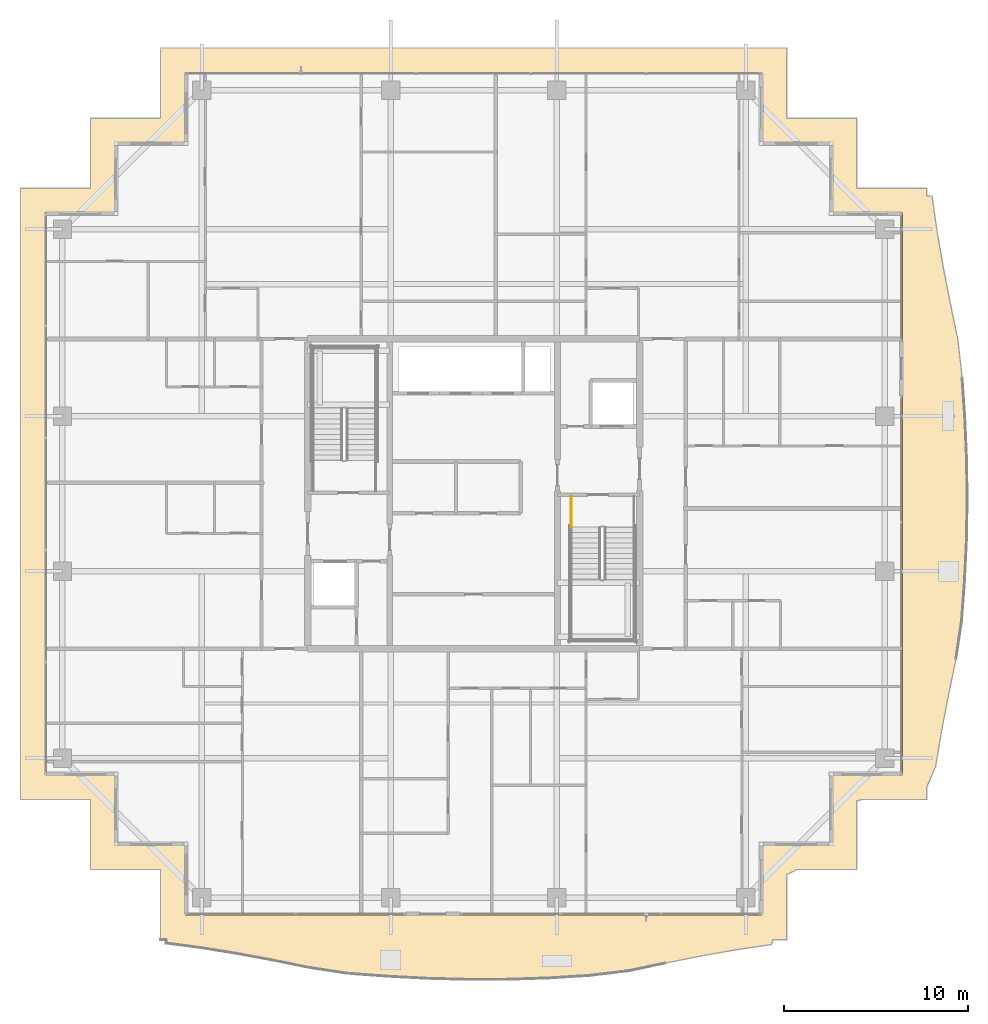
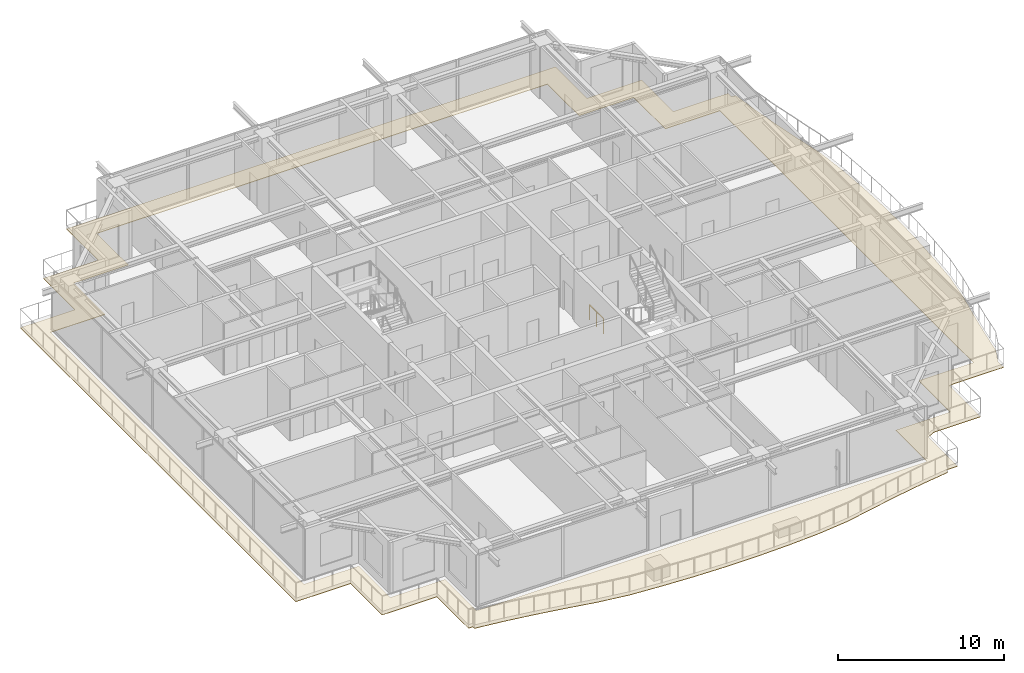
# One storey, part 40 of 42: 1 covering, 1 railing.
"""IFC4 building model written with IfcOpenShell, lengths in metres."""

from ifc_helpers import new_model, si_unit, direction, frame, origin, origin_2d, place, context, subcontext, project, spatial, polyline, circle, outline, extrude, material, layer, layer_set, type_object, element, save


model = new_model("IFC4")

# Units and contexts
model_context = context("Model", 3, precision=1e-05, world=origin(), true_north=direction((0.0, 1.0)))
body_context = subcontext(model_context, "Body", "Model", "MODEL_VIEW")
ifc_project = project(units=[si_unit("LENGTHUNIT", "METRE"), si_unit("AREAUNIT", "SQUARE_METRE"), si_unit("VOLUMEUNIT", "CUBIC_METRE"), si_unit("PLANEANGLEUNIT", "RADIAN"), si_unit("MASSUNIT", "GRAM", prefix="KILO")], contexts=[model_context])

# Site, building, storey
site_placement = place(None, origin())
site = spatial("IfcSite", under=ifc_project, at=site_placement, CompositionType="ELEMENT")
building_placement = place(site_placement, origin())
building = spatial("IfcBuilding", under=site, at=building_placement, Name="Serunith Strait Residences", CompositionType="ELEMENT")
storey_placement = place(building_placement, frame((0.0, 0.0, 325.85009765625)))
storey = spatial("IfcBuildingStorey", under=building, at=storey_placement, Name="L81", CompositionType="ELEMENT", Elevation=325.85009765625)

# Covering
ifc_material_1 = material(Name="Golden Teak Exterior Timber Boarding", Category="wood")
ifc_layer = layer(ifc_material_1, 0.034912109375, Name="Golden Teak Exterior Timber Boarding")
ifc_layer_set = layer_set([ifc_layer], Name="Golden Teak Exterior Timber Boarding")
covering_type = type_object("IfcCoveringType", Name="COV-TEAK-SOFFIT", PredefinedType="CEILING", material=ifc_layer_set)
covering_placement = place(storey_placement, frame((0.0, 0.0, -0.3251953125)))
element("IfcCovering", 1, at=covering_placement, inside=storey, type_object=covering_type, Name="L81 Golden-Teak Balcony Soffit Lining", PredefinedType="CEILING", context=body_context, shape_type="SweptSolid", body=[
    extrude(outline(polyline([(15.419921875, 1.02001953125), (15.419921875, 4.820068359375), (11.6201171875, 4.820068359375), (11.6201171875, 8.6201171875), (7.820068359375, 8.6201171875), (7.820068359375, 41.780029296875), (11.6201171875, 41.780029296875), (11.6201171875, 45.580078125), (15.407470703125, 45.580078125), (15.419921875, 45.584716796875), (15.419921875, 49.3798828125), (49.3798828125, 49.3798828125), (49.3798828125, 45.580078125), (53.179931640625, 45.580078125), (53.179931640625, 41.87939453125), (53.195068359375, 41.780029296875), (56.97998046875, 41.780029296875), (56.97998046875, 41.364990234375), (57.264892578125, 41.347900390625), (57.53662109375, 39.44775390625), (57.866455078125, 37.53076171875), (58.248046875, 35.580078125), (58.66064453125, 33.576416015625), (58.90234375, 31.4638671875), (59.051513671875, 29.29736328125), (59.147216796875, 27.102294921875), (59.177978515625, 24.89208984375), (59.138916015625, 22.68359375), (59.034423828125, 20.492919921875), (58.876708984375, 18.33349609375), (58.56591796875, 16.25244140625), (58.15380859375, 14.265625), (57.779541015625, 12.327880859375), (57.4609375, 10.419189453125), (56.97998046875, 9.30029296875), (56.97998046875, 8.6201171875), (53.46826171875, 8.6201171875), (53.179931640625, 8.547607421875), (53.179931640625, 4.820068359375), (49.952392578125, 4.820068359375), (49.3798828125, 4.548828125), (49.3798828125, 1.02001953125), (48.642333984375, 1.02001953125), (48.554931640625, 0.753173828125), (46.660400390625, 0.47509765625), (44.748779296875, 0.135986328125), (42.802001953125, -0.256103515625), (40.798828125, -0.677734375), (38.684326171875, -0.930419921875), (36.5087890625, -1.065185546875), (34.30615234375, -1.1396484375), (32.091796875, -1.146484375), (29.8828125, -1.087646484375), (27.693603515625, -0.971923828125), (25.53564453125, -0.8125), (23.45947265625, -0.49462890625), (21.472412109375, -0.09423828125), (19.532470703125, 0.26708984375), (17.620849609375, 0.573974609375), (15.721923828125, 0.82421875), (15.723388671875, 1.02001953125), (15.419921875, 1.02001953125)]), holes=[polyline([(48.054931640625, 2.344970703125), (48.054931640625, 6.14501953125), (51.85498046875, 6.14501953125), (51.85498046875, 9.945068359375), (55.655029296875, 9.945068359375), (55.655029296875, 40.455078125), (51.85498046875, 40.455078125), (51.85498046875, 44.2548828125), (48.054931640625, 44.2548828125), (48.054931640625, 48.054931640625), (16.7451171875, 48.054931640625), (16.7451171875, 44.2548828125), (12.945068359375, 44.2548828125), (12.945068359375, 40.455078125), (9.14501953125, 40.455078125), (9.14501953125, 9.945068359375), (12.945068359375, 9.945068359375), (12.945068359375, 6.14501953125), (16.7451171875, 6.14501953125), (16.7451171875, 2.344970703125), (48.054931640625, 2.344970703125)])]), origin(), (0.0, 0.0, 1.0), 0.03515625),
])

# Railing
ifc_material_2 = material(Name="Brushed stainless steel 316L", Category="steel")
railing_type = type_object("IfcRailingType", Name="RLG-STAIR-GUARD", PredefinedType="BALUSTRADE", material=ifc_material_2)
railing_placement = place(storey_placement, frame((37.699951171875, 25.050048828125, 0.0)))
element("IfcRailing", 2, at=railing_placement, inside=storey, type_object=railing_type, Name="L81 ST-2 stair guard 8", PredefinedType="BALUSTRADE", context=body_context, shape_type="SweptSolid", body=[
    extrude(circle(Radius=0.02392578125, at=origin_2d()), frame((0.0, -0.001953125, 1.076171875), z_axis=(0.0, -1.0, 0.0), x_axis=(1.0, 0.0, 0.0)), (0.0, 0.0, 1.0), 1.676025390625),
    extrude(circle(Radius=0.02099609375, at=origin_2d()), origin(), (0.0, 0.0, 1.0), 1.050048828125),
    extrude(circle(Radius=0.02099609375, at=origin_2d()), frame((0.0, -0.83984375, 0.0)), (0.0, 0.0, 1.0), 1.050048828125),
    extrude(circle(Radius=0.02099609375, at=origin_2d()), frame((0.0, -1.679931640625, 0.0)), (0.0, 0.0, 1.0), 1.050048828125),
])

save(model, "model.ifc")
